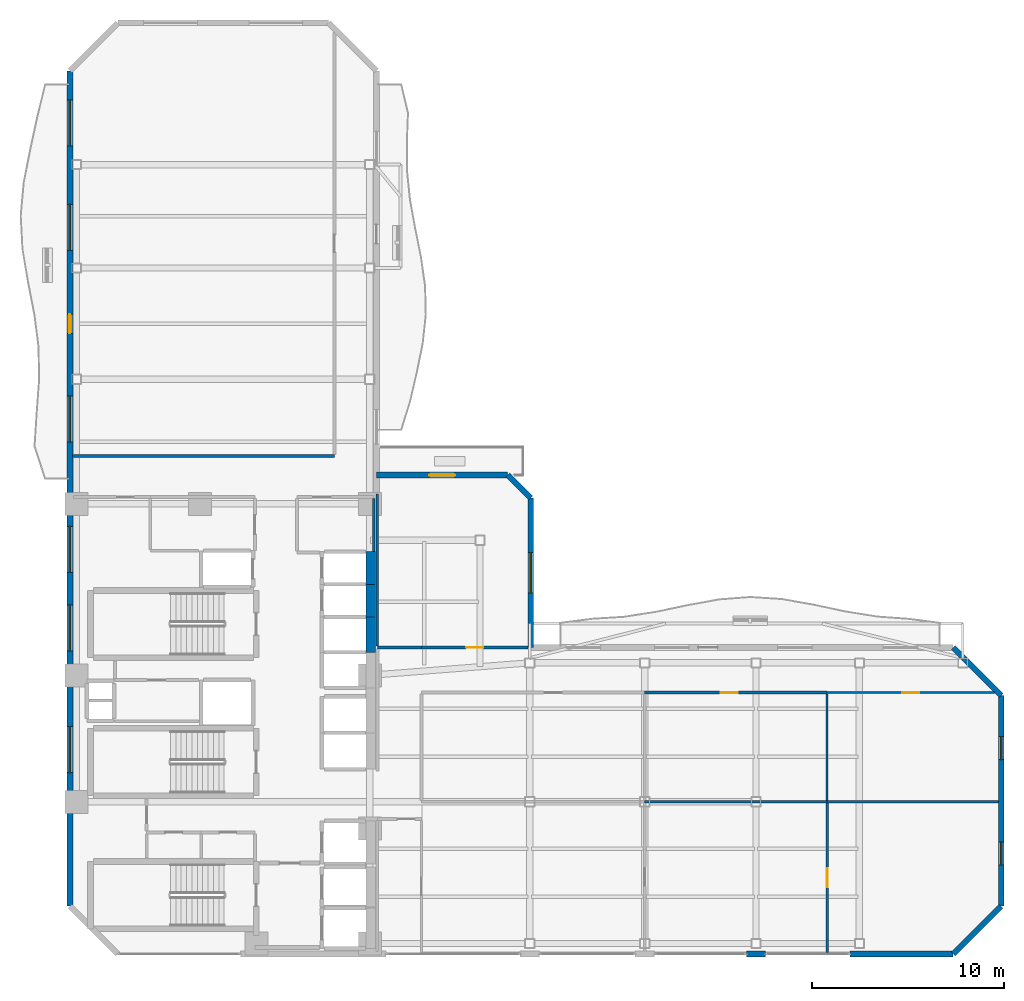
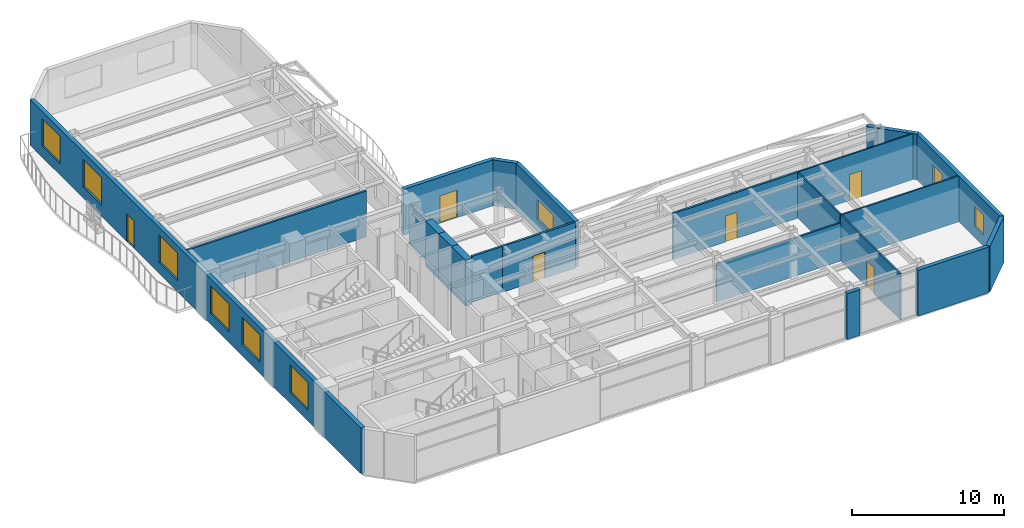
# One storey, part 11 of 15: 23 walls, 9 windows, 6 doors, 15 openings.
"""IFC4 building model written with IfcOpenShell, lengths in metres."""

import ifcopenshell
import ifcopenshell.guid

model = None  # the IFC model being written
_history = None  # IfcOwnerHistory: only IFC2X3 demands one
_inside = {}  # id of a spatial element -> (the spatial element, [elements in it])
_under = {}  # id of a project, library or spatial element -> (it, [spatial elements below it])
_declared = {}  # id of a project -> (the project, [libraries it declares])
_typed = {}  # id of a type object -> (the type object, [elements of that type])
_made_of = {}  # id of a material, layer set ... -> (it, [elements and type objects made of it])


def new_model(schema):
    """Start an empty IFC model of exactly this schema.

    Asked for "IFC4X3", IfcOpenShell would pick the latest addendum, in which some entities
    have other attributes; the version numbers below select the first issue.
    IFC2X3 requires an IfcOwnerHistory on every rooted entity: one is made here for all.
    """
    global model, _history
    if schema == "IFC4X3":
        model = ifcopenshell.file(schema_version=(4, 3, 0, 0))
    else:
        model = ifcopenshell.file(schema=schema)
    _inside.clear()
    _under.clear()
    _declared.clear()
    _typed.clear()
    _made_of.clear()
    _history = None
    if model.schema == "IFC2X3":
        org = make("IfcOrganization", Name="unknown")
        user = make(
            "IfcPersonAndOrganization",
            ThePerson=make("IfcPerson", FamilyName="unknown"),
            TheOrganization=org,
        )
        app = make(
            "IfcApplication",
            ApplicationDeveloper=org,
            Version="unknown",
            ApplicationFullName="unknown",
            ApplicationIdentifier="unknown",
        )
        _history = make(
            "IfcOwnerHistory",
            OwningUser=user,
            OwningApplication=app,
            ChangeAction="ADDED",
            CreationDate=0,
        )
    return model


def make(cls, **values):
    """One entity of the class cls with the attributes given. An attribute that is None is left unset."""
    return model.create_entity(
        cls, **{name: value for name, value in values.items() if value is not None}
    )


def rooted(cls, **values):
    """An entity with a GlobalId (a new one), such as an element, a storey or a relation."""
    return make(cls, GlobalId=ifcopenshell.guid.new(), OwnerHistory=_history, **values)


def si_unit(unit_type, name, prefix=None):
    """IfcSIUnit, for example si_unit("LENGTHUNIT", "METRE", prefix="MILLI")."""
    return make("IfcSIUnit", UnitType=unit_type, Prefix=prefix, Name=name)


def assignment(units):
    """IfcUnitAssignment: the units of a project."""
    return None if units is None else make("IfcUnitAssignment", Units=units)


def point(xyz):
    """IfcCartesianPoint."""
    return None if xyz is None else make("IfcCartesianPoint", Coordinates=xyz)


def direction(xyz):
    """IfcDirection."""
    return None if xyz is None else make("IfcDirection", DirectionRatios=xyz)


def frame(location, z_axis=None, x_axis=None):
    """IfcAxis2Placement3D, a coordinate frame: its origin and axes. An axis left out is left unset."""
    return make(
        "IfcAxis2Placement3D",
        Location=point(location),
        Axis=direction(z_axis),
        RefDirection=direction(x_axis),
    )


def frame_2d(location, x_axis=None):
    """IfcAxis2Placement2D, a coordinate frame in the plane: its origin and x axis."""
    return make(
        "IfcAxis2Placement2D", Location=point(location), RefDirection=direction(x_axis)
    )


def origin():
    """The frame at (0, 0, 0) with its axes left unset."""
    return frame((0.0, 0.0, 0.0))


def place(relative_to, where):
    """IfcLocalPlacement: puts the frame where relative to a parent placement (None: the world)."""
    return make(
        "IfcLocalPlacement", PlacementRelTo=relative_to, RelativePlacement=where
    )


def context(
    kind, dimensions, precision=None, world=None, true_north=None, identifier=None
):
    """IfcGeometricRepresentationContext, for example the 3D "Model" context."""
    return make(
        "IfcGeometricRepresentationContext",
        ContextIdentifier=identifier,
        ContextType=kind,
        CoordinateSpaceDimension=dimensions,
        Precision=precision,
        WorldCoordinateSystem=world,
        TrueNorth=true_north,
    )


def subcontext(parent, identifier, kind, view, scale=None):
    """IfcGeometricRepresentationSubContext, for example "Body" below "Model"."""
    return make(
        "IfcGeometricRepresentationSubContext",
        ContextIdentifier=identifier,
        ContextType=kind,
        ParentContext=parent,
        TargetScale=scale,
        TargetView=view,
    )


def project(units=None, contexts=None):
    """IfcProject with its units and contexts."""
    return rooted(
        "IfcProject",
        Name="project",
        RepresentationContexts=contexts,
        UnitsInContext=assignment(units),
    )


def spatial(cls, under=None, at=None, **own):
    """A site, building, storey or space (cls), placed at a placement, below another one or the project."""
    s = rooted(cls, ObjectPlacement=at, **own)
    if under is not None:
        _under.setdefault(under.id(), (under, []))[1].append(s)
    return s


def profile(cls, at=None, kind="AREA", **sizes):
    """A parametric profile (cls). Its sizes go by their IFC names, for example OverallWidth=200.0."""
    return make(cls, ProfileType=kind, Position=at, **sizes)


def rectangle(**sizes):
    """IfcRectangleProfileDef."""
    return profile("IfcRectangleProfileDef", **sizes)


def extrude(swept, where, along, depth):
    """IfcExtrudedAreaSolid: the profile swept, set in the frame where, extruded along a direction by depth."""
    return make(
        "IfcExtrudedAreaSolid",
        SweptArea=swept,
        Position=where,
        ExtrudedDirection=direction(along),
        Depth=depth,
    )


def shape(context_of_items, identifier, shape_type, items):
    """IfcShapeRepresentation: the items that make up one representation, for example the "Body"."""
    return make(
        "IfcShapeRepresentation",
        ContextOfItems=context_of_items,
        RepresentationIdentifier=identifier,
        RepresentationType=shape_type,
        Items=items,
    )


def material(Name=None, Category=None):
    """IfcMaterial."""
    return make("IfcMaterial", Name=Name, Category=Category)


def layer(
    of_material, thickness, ventilated=None, Name=None, Category=None, Priority=None
):
    """IfcMaterialLayer: one layer of a wall or slab, of a material (None: an air gap)."""
    return make(
        "IfcMaterialLayer",
        Material=of_material,
        LayerThickness=thickness,
        IsVentilated=ventilated,
        Name=Name,
        Category=Category,
        Priority=Priority,
    )


def layer_set(layers, Name=None):
    """IfcMaterialLayerSet."""
    return make("IfcMaterialLayerSet", MaterialLayers=layers, LayerSetName=Name)


def made_of(thing, what):
    """Note that an element or type object is made of a material, layer set ...; save() writes the relation."""
    if what is not None:
        _made_of.setdefault(what.id(), (what, []))[1].append(thing)
    return thing


def type_object(cls, material=None, **own):
    """A type object (cls), such as IfcWallType, which elements share."""
    return made_of(rooted(cls, **own), material)


def element(
    cls,
    number,
    at=None,
    inside=None,
    cuts=None,
    type_object=None,
    material=None,
    context=None,
    identifier="Body",
    shape_type=None,
    held_by="IfcProductDefinitionShape",
    body=None,
    shapes=None,
    **own,
):
    """One element of the class cls, such as IfcWall. Its Tag is "e" and its number.

    at: its placement. inside: the storey or other place that contains it. cuts: it is an
    opening in that element (IfcRelVoidsElement). A single representation is given by context,
    identifier, shape_type and body (its items); several are given by shapes. held_by: the class
    of the entity that holds the representations. save() writes the other relations.
    """
    e = rooted(cls, Tag="e%d" % number, ObjectPlacement=at, **own)
    if body is not None:
        shapes = [shape(context, identifier, shape_type, body)]
    if shapes is not None:
        e.Representation = make(held_by, Representations=shapes)
    if inside is not None:
        _inside.setdefault(inside.id(), (inside, []))[1].append(e)
    if cuts is not None:
        rooted(
            "IfcRelVoidsElement", RelatingBuildingElement=cuts, RelatedOpeningElement=e
        )
    if type_object is not None:
        _typed.setdefault(type_object.id(), (type_object, []))[1].append(e)
    return made_of(e, material)


def fill(opening, filler):
    """IfcRelFillsElement: the door or window that sits in an opening."""
    return rooted(
        "IfcRelFillsElement",
        RelatingOpeningElement=opening,
        RelatedBuildingElement=filler,
    )


def aggregate(whole, parts):
    """IfcRelAggregates: a whole, such as a stair, and the parts it consists of."""
    return rooted("IfcRelAggregates", RelatingObject=whole, RelatedObjects=parts)


def save(model, path):
    """Write the relations noted so far, then the file.

    IfcRelAggregates (storeys below a building ...), IfcRelContainedInSpatialStructure (elements
    in a storey), IfcRelDefinesByType, IfcRelAssociatesMaterial and IfcRelDeclares: one each for
    every whole, place, type object, material and project.
    """
    for whole, parts in _under.values():
        aggregate(whole, parts)
    for where, things in _inside.values():
        rooted(
            "IfcRelContainedInSpatialStructure",
            RelatedElements=things,
            RelatingStructure=where,
        )
    for kind, things in _typed.values():
        rooted("IfcRelDefinesByType", RelatedObjects=things, RelatingType=kind)
    for what, things in _made_of.values():
        rooted("IfcRelAssociatesMaterial", RelatedObjects=things, RelatingMaterial=what)
    for by, libraries in _declared.values():
        rooted("IfcRelDeclares", RelatingContext=by, RelatedDefinitions=libraries)
    model.write(path)


model = new_model("IFC4")

# Units and contexts
model_context = context("Model", 3, precision=1e-05, world=origin(), true_north=direction((0.0, 1.0)))
body_context = subcontext(model_context, "Body", "Model", "MODEL_VIEW")
ifc_project = project(units=[si_unit("LENGTHUNIT", "METRE"), si_unit("AREAUNIT", "SQUARE_METRE"), si_unit("VOLUMEUNIT", "CUBIC_METRE"), si_unit("PLANEANGLEUNIT", "RADIAN"), si_unit("MASSUNIT", "GRAM", prefix="KILO")], contexts=[model_context])

# Site, building, storey
site_placement = place(None, origin())
site = spatial("IfcSite", under=ifc_project, at=site_placement, CompositionType="ELEMENT")
building_placement = place(site_placement, origin())
building = spatial("IfcBuilding", under=site, at=building_placement, Name="Mawjaban Terraces University", CompositionType="ELEMENT")
storey_placement = place(building_placement, frame((0.0, 0.0, 142.39990234375)))
storey = spatial("IfcBuildingStorey", under=building, at=storey_placement, Name="L34", CompositionType="ELEMENT", Elevation=142.39990234375)

# Walls
ifc_material_1 = material(Name="Concrete C60/75", Category="concrete")
ifc_layer_1 = layer(ifc_material_1, 0.5)
ifc_layer_set_1 = layer_set([ifc_layer_1], Name="Concrete C60/75")
wall_type_1 = type_object("IfcWallType", Name="CoreShearWall_500", PredefinedType="SHEAR", material=ifc_layer_set_1)
wall_1_placement = place(storey_placement, frame((37.699951171875, 15.75, 0.0), z_axis=(0.0, 0.0, 1.0), x_axis=(0.0, 1.0, 0.0)))
element("IfcWall", 1, at=wall_1_placement, inside=storey, type_object=wall_type_1, Name="L34 Lift OL-2 Hoistway Wall East", PredefinedType="SHEAR", context=body_context, shape_type="SweptSolid", body=[
    extrude(rectangle(XDim=1.85009765625, YDim=0.5, at=frame_2d((0.925048828125, 0.0))), origin(), (0.0, 0.0, 1.0), 3.690185546875),
])
for number, where, z_axis, x_axis, name in (
    (2, (37.699951171875, 17.60009765625, 0.0), (0.0, 0.0, 1.0), (0.0, 1.0, 0.0), "L34 Lift PL-M1 Hoistway Wall East"),
    (3, (37.699951171875, 19.300048828125, 0.0), (0.0, 0.0, 1.0), (0.0, 1.0, 0.0), "L34 Lift PL-M2 Hoistway Wall East"),
):
    element("IfcWall", number, at=place(storey_placement, frame(where, z_axis=z_axis, x_axis=x_axis)), inside=storey, type_object=wall_type_1, Name=name, PredefinedType="SHEAR", context=body_context, shape_type="SweptSolid", body=[
        extrude(rectangle(XDim=1.699951171875, YDim=0.5, at=frame_2d((0.85009765625, 0.0))), origin(), (0.0, 0.0, 1.0), 3.690185546875),
    ])
ifc_material_2 = material(Name="Fire-rated gypsum board on steel stud", Category="steel")
ifc_layer_2 = layer(ifc_material_2, 0.159912109375)
ifc_layer_set_2 = layer_set([ifc_layer_2], Name="Fire-rated gypsum board on steel stud")
wall_type_2 = type_object("IfcWallType", Name="CorridorPartition_160", PredefinedType="PARTITIONING", material=ifc_layer_set_2)
wall_2_placement = place(storey_placement, frame((35.800048828125, 26.0, 0.0), z_axis=(0.0, 0.0, 1.0), x_axis=(-1.0, 0.0, 0.0)))
element("IfcWall", 4, at=wall_2_placement, inside=storey, type_object=wall_type_2, Name="L34 North Core Cross-Corridor Partition 11", PredefinedType="PARTITIONING", context=body_context, shape_type="SweptSolid", body=[
    extrude(rectangle(XDim=13.655029296875, YDim=0.159912109375, at=frame_2d((6.82763671875, 0.0))), origin(), (0.0, 0.0, 1.0), 3.690185546875),
])
wall_3_placement = place(storey_placement, frame((40.35009765625, 16.0, 0.0), z_axis=(0.0, 0.0, 1.0), x_axis=(-1.0, 0.0, 0.0)))
element("IfcWall", 5, at=wall_3_placement, inside=storey, type_object=wall_type_2, Name="L34 Inner Gallery Link Corridor Partition 15", PredefinedType="PARTITIONING", context=body_context, shape_type="SweptSolid", body=[
    extrude(rectangle(XDim=2.300048828125, YDim=0.159912109375, at=frame_2d((1.14990234375, 0.0))), origin(), (0.0, 0.0, 1.0), 3.690185546875),
])

# Wall, opening, door
wall_4_placement = place(storey_placement, frame((40.35009765625, 16.0, 0.0), z_axis=(0.0, 0.0, 1.0), x_axis=(1.0, 0.0, 0.0)))
wall_4 = element("IfcWall", 6, at=wall_4_placement, inside=storey, type_object=wall_type_2, Name="L34 Terrace Collaborative Study Room Partition 16", PredefinedType="PARTITIONING", context=body_context, shape_type="SweptSolid", body=[
    extrude(rectangle(XDim=5.55078125, YDim=0.159912109375, at=frame_2d((2.775390625, 0.0))), origin(), (0.0, 0.0, 1.0), 3.690185546875),
])
opening_1_placement = place(wall_4_placement, frame((2.325927734375, 0.0, 0.0)))
opening_1 = element("IfcOpeningElement", 7, at=opening_1_placement, cuts=wall_4, Name="Opening ID-090", PredefinedType="OPENING", context=body_context, shape_type="SweptSolid", body=[
    extrude(rectangle(XDim=0.89990234375, YDim=2.10009765625, at=frame_2d((0.449951171875, 1.050048828125))), frame((0.0, 0.08984375, 0.0), z_axis=(0.0, -1.0, 0.0), x_axis=(1.0, 0.0, 0.0)), (0.0, 0.0, 1.0), 0.179931640625),
])
ifc_material_3 = material(Name="Powder-coated steel frame and solid acoustic timber leaf", Category="steel")
door_type_1 = type_object("IfcDoorType", Name="OfficeDoor_900x2100", OperationType="NOTDEFINED", PredefinedType="DOOR", material=ifc_material_3)
door_1_placement = place(opening_1_placement, origin())
door_1 = element("IfcDoor", 8, at=door_1_placement, inside=storey, type_object=door_type_1, Name="L34 Terrace Collaborative Study Room Door", OperationType="SINGLE_SWING_RIGHT", OverallHeight=2.10009765625, OverallWidth=0.89990234375, PredefinedType="DOOR", context=body_context, shape_type="SweptSolid", body=[
    extrude(rectangle(XDim=0.89990234375, YDim=2.10009765625, at=frame_2d((0.449951171875, 1.050048828125))), frame((0.0, 0.02490234375, 0.0), z_axis=(0.0, -1.0, 0.0), x_axis=(1.0, 0.0, 0.0)), (0.0, 0.0, 1.0), 0.050048828125),
])
fill(opening_1, door_1)

wall_5_placement = place(storey_placement, frame((52.0, 13.64990234375, 0.0), z_axis=(0.0, 0.0, 1.0), x_axis=(1.0, 0.0, 0.0)))
wall_5 = element("IfcWall", 9, at=wall_5_placement, inside=storey, type_object=wall_type_2, Name="L34 Inner Terrace Gallery Corridor East Partition 18", PredefinedType="PARTITIONING", context=body_context, shape_type="SweptSolid", body=[
    extrude(rectangle(XDim=9.52001953125, YDim=0.159912109375, at=frame_2d((4.760009765625, 0.0))), origin(), (0.0, 0.0, 1.0), 3.690185546875),
])
opening_2_placement = place(wall_5_placement, frame((3.9599609375, 0.0, 0.0)))
opening_2 = element("IfcOpeningElement", 10, at=opening_2_placement, cuts=wall_5, Name="Opening ID-090", PredefinedType="OPENING", context=body_context, shape_type="SweptSolid", body=[
    extrude(rectangle(XDim=0.89990234375, YDim=2.10009765625, at=frame_2d((0.449951171875, 1.050048828125))), frame((0.0, 0.08984375, 0.0), z_axis=(0.0, -1.0, 0.0), x_axis=(1.0, 0.0, 0.0)), (0.0, 0.0, 1.0), 0.179931640625),
])
door_2_placement = place(opening_2_placement, origin())
door_2 = element("IfcDoor", 11, at=door_2_placement, inside=storey, type_object=door_type_1, Name="L34 Collaborative Study Room 5 Door", OperationType="SINGLE_SWING_RIGHT", OverallHeight=2.10009765625, OverallWidth=0.89990234375, PredefinedType="DOOR", context=body_context, shape_type="SweptSolid", body=[
    extrude(rectangle(XDim=0.89990234375, YDim=2.10009765625, at=frame_2d((0.449951171875, 1.050048828125))), frame((0.0, 0.02490234375, 0.0), z_axis=(0.0, -1.0, 0.0), x_axis=(1.0, 0.0, 0.0)), (0.0, 0.0, 1.0), 0.050048828125),
])
fill(opening_2, door_2)

# Walls
ifc_material_4 = material(Name="Insulated terracotta rainscreen on concrete backup C40/50", Category="masonry")
ifc_layer_3 = layer(ifc_material_4, 0.300048828125)
ifc_layer_set_3 = layer_set([ifc_layer_3], Name="Insulated terracotta rainscreen on concrete backup C40/50")
wall_type_3 = type_object("IfcWallType", Name="ExtTerracottaWall_300", PredefinedType="SOLIDWALL", material=ifc_layer_set_3)
wall_6_placement = place(storey_placement, frame((57.300048828125, 0.0, 0.0), z_axis=(0.0, 0.0, 1.0), x_axis=(1.0, 0.0, 0.0)))
element("IfcWall", 12, at=wall_6_placement, inside=storey, type_object=wall_type_3, Name="L34 Exterior Terracotta Pier Wall 1.4", PredefinedType="SOLIDWALL", context=body_context, shape_type="SweptSolid", body=[
    extrude(rectangle(XDim=1.0, YDim=0.300048828125, at=frame_2d((0.5, 0.0))), origin(), (0.0, 0.0, 1.0), 3.690185546875),
])
wall_7_placement = place(storey_placement, frame((62.699951171875, 0.0, 0.0), z_axis=(0.0, 0.0, 1.0), x_axis=(1.0, 0.0, 0.0)))
element("IfcWall", 13, at=wall_7_placement, inside=storey, type_object=wall_type_3, Name="L34 Exterior Terracotta Pier Wall 1.5", PredefinedType="SOLIDWALL", context=body_context, shape_type="SweptSolid", body=[
    extrude(rectangle(XDim=5.400146484375, YDim=0.300048828125, at=frame_2d((2.7001953125, 0.0))), origin(), (0.0, 0.0, 1.0), 3.690185546875),
])
wall_8_placement = place(storey_placement, frame((68.10009765625, 0.0, 0.0), z_axis=(0.0, 0.0, 1.0), x_axis=(0.707106781187, 0.707106781187, 0.0)))
element("IfcWall", 14, at=wall_8_placement, inside=storey, type_object=wall_type_3, Name="L34 Exterior Terracotta Wall 2", PredefinedType="SOLIDWALL", context=body_context, shape_type="SweptSolid", body=[
    extrude(rectangle(XDim=3.53564453125, YDim=0.300048828125, at=frame_2d((1.767822265625, 0.0))), origin(), (0.0, 0.0, 1.0), 3.690185546875),
])

# Wall, openings, windows
wall_9_placement = place(storey_placement, frame((70.60009765625, 2.5, 0.0), z_axis=(0.0, 0.0, 1.0), x_axis=(0.0, 1.0, 0.0)))
wall_9 = element("IfcWall", 15, at=wall_9_placement, inside=storey, type_object=wall_type_3, Name="L34 Exterior Terracotta Wall 3", PredefinedType="SOLIDWALL", context=body_context, shape_type="SweptSolid", body=[
    extrude(rectangle(XDim=11.0, YDim=0.300048828125, at=frame_2d((5.5, 0.0))), origin(), (0.0, 0.0, 1.0), 3.690185546875),
])
opening_3_placement = place(wall_9_placement, frame((2.14990234375, 0.0, 0.89990234375)))
opening_3 = element("IfcOpeningElement", 16, at=opening_3_placement, cuts=wall_9, Name="Opening W-01", PredefinedType="OPENING", context=body_context, shape_type="SweptSolid", body=[
    extrude(rectangle(XDim=1.199951171875, YDim=1.60009765625, at=frame_2d((0.60009765625, 0.800048828125))), frame((0.0, 0.159912109375, 0.0), z_axis=(0.0, -1.0, 0.0), x_axis=(1.0, 0.0, 0.0)), (0.0, 0.0, 1.0), 0.320068359375),
])
opening_4_placement = place(wall_9_placement, frame((7.64990234375, 0.0, 0.89990234375)))
opening_4 = element("IfcOpeningElement", 17, at=opening_4_placement, cuts=wall_9, Name="Opening W-01", PredefinedType="OPENING", context=body_context, shape_type="SweptSolid", body=[
    extrude(rectangle(XDim=1.199951171875, YDim=1.60009765625, at=frame_2d((0.60009765625, 0.800048828125))), frame((0.0, 0.159912109375, 0.0), z_axis=(0.0, -1.0, 0.0), x_axis=(1.0, 0.0, 0.0)), (0.0, 0.0, 1.0), 0.320068359375),
])
ifc_material_5 = material(Name="Low-E solar-control double glazing in thermally broken aluminium frame", Category="aluminium")
window_type_1 = type_object("IfcWindowType", Name="Win_1200x1600", PartitioningType="SINGLE_PANEL", PredefinedType="WINDOW", material=ifc_material_5)
window_1_placement = place(opening_3_placement, origin())
window_1 = element("IfcWindow", 18, at=window_1_placement, inside=storey, type_object=window_type_1, Name="L34 Facade Window 3.1", OverallHeight=1.60009765625, OverallWidth=1.199951171875, PartitioningType="SINGLE_PANEL", PredefinedType="WINDOW", context=body_context, shape_type="SweptSolid", body=[
    extrude(rectangle(XDim=1.199951171875, YDim=1.60009765625, at=frame_2d((0.60009765625, 0.800048828125))), frame((0.0, 0.030029296875, 0.0), z_axis=(0.0, -1.0, 0.0), x_axis=(1.0, 0.0, 0.0)), (0.0, 0.0, 1.0), 0.06005859375),
])
fill(opening_3, window_1)
window_2_placement = place(opening_4_placement, origin())
window_2 = element("IfcWindow", 19, at=window_2_placement, inside=storey, type_object=window_type_1, Name="L34 Facade Window 3.2", OverallHeight=1.60009765625, OverallWidth=1.199951171875, PartitioningType="SINGLE_PANEL", PredefinedType="WINDOW", context=body_context, shape_type="SweptSolid", body=[
    extrude(rectangle(XDim=1.199951171875, YDim=1.60009765625, at=frame_2d((0.60009765625, 0.800048828125))), frame((0.0, 0.030029296875, 0.0), z_axis=(0.0, -1.0, 0.0), x_axis=(1.0, 0.0, 0.0)), (0.0, 0.0, 1.0), 0.06005859375),
])
fill(opening_4, window_2)

# Wall
wall_10_placement = place(storey_placement, frame((70.60009765625, 13.5, 0.0), z_axis=(0.0, 0.0, 1.0), x_axis=(-0.707106781187, 0.707106781187, 0.0)))
element("IfcWall", 20, at=wall_10_placement, inside=storey, type_object=wall_type_3, Name="L34 Exterior Terracotta Wall 4", PredefinedType="SOLIDWALL", context=body_context, shape_type="SweptSolid", body=[
    extrude(rectangle(XDim=3.53564453125, YDim=0.300048828125, at=frame_2d((1.767822265625, 0.0))), origin(), (0.0, 0.0, 1.0), 3.690185546875),
])

# Wall, opening, window
wall_11_placement = place(storey_placement, frame((46.0458984375, 16.0, 0.0), z_axis=(0.0, 0.0, 1.0), x_axis=(0.0, 1.0, 0.0)))
wall_11 = element("IfcWall", 21, at=wall_11_placement, inside=storey, type_object=wall_type_3, Name="L34 Exterior Terracotta Wall 6", PredefinedType="SOLIDWALL", context=body_context, shape_type="SweptSolid", body=[
    extrude(rectangle(XDim=7.800048828125, YDim=0.300048828125, at=frame_2d((3.89990234375, 0.0))), origin(), (0.0, 0.0, 1.0), 3.690185546875),
])
opening_5_placement = place(wall_11_placement, frame((2.85009765625, 0.0, 0.89990234375)))
opening_5 = element("IfcOpeningElement", 22, at=opening_5_placement, cuts=wall_11, Name="Opening W-04", PredefinedType="OPENING", context=body_context, shape_type="SweptSolid", body=[
    extrude(rectangle(XDim=2.10009765625, YDim=1.60009765625, at=frame_2d((1.050048828125, 0.800048828125))), frame((0.0, 0.159912109375, 0.0), z_axis=(0.0, -1.0, 0.0), x_axis=(1.0, 0.0, 0.0)), (0.0, 0.0, 1.0), 0.320068359375),
])
window_type_2 = type_object("IfcWindowType", Name="Win_2100x1600", PartitioningType="SINGLE_PANEL", PredefinedType="WINDOW", material=ifc_material_5)
window_3_placement = place(opening_5_placement, origin())
window_3 = element("IfcWindow", 23, at=window_3_placement, inside=storey, type_object=window_type_2, Name="L34 Facade Window 6.1", OverallHeight=1.60009765625, OverallWidth=2.10009765625, PartitioningType="SINGLE_PANEL", PredefinedType="WINDOW", context=body_context, shape_type="SweptSolid", body=[
    extrude(rectangle(XDim=2.10009765625, YDim=1.60009765625, at=frame_2d((1.050048828125, 0.800048828125))), frame((0.0, 0.030029296875, 0.0), z_axis=(0.0, -1.0, 0.0), x_axis=(1.0, 0.0, 0.0)), (0.0, 0.0, 1.0), 0.06005859375),
])
fill(opening_5, window_3)

# Wall
wall_12_placement = place(storey_placement, frame((46.0458984375, 23.800048828125, 0.0), z_axis=(0.0, 0.0, 1.0), x_axis=(-0.707106781187, 0.707106781187, 0.0)))
element("IfcWall", 24, at=wall_12_placement, inside=storey, type_object=wall_type_3, Name="L34 Exterior Terracotta Wall 7", PredefinedType="SOLIDWALL", context=body_context, shape_type="SweptSolid", body=[
    extrude(rectangle(XDim=1.697021484375, YDim=0.300048828125, at=frame_2d((0.8486328125, 0.0))), origin(), (0.0, 0.0, 1.0), 3.690185546875),
])

# Wall, opening, door
wall_13_placement = place(storey_placement, frame((44.845947265625, 25.0, 0.0), z_axis=(0.0, 0.0, 1.0), x_axis=(-1.0, 0.0, 0.0)))
wall_13 = element("IfcWall", 25, at=wall_13_placement, inside=storey, type_object=wall_type_3, Name="L34 Exterior Terracotta Wall 8", PredefinedType="SOLIDWALL", context=body_context, shape_type="SweptSolid", body=[
    extrude(rectangle(XDim=6.845947265625, YDim=0.300048828125, at=frame_2d((3.4228515625, 0.0))), origin(), (0.0, 0.0, 1.0), 3.690185546875),
])
opening_6_placement = place(wall_13_placement, frame((2.748046875, 0.0, 0.0)))
opening_6 = element("IfcOpeningElement", 26, at=opening_6_placement, cuts=wall_13, Name="Opening TD-135", PredefinedType="OPENING", context=body_context, shape_type="SweptSolid", body=[
    extrude(rectangle(XDim=1.35009765625, YDim=2.199951171875, at=frame_2d((0.675048828125, 1.10009765625))), frame((0.0, 0.159912109375, 0.0), z_axis=(0.0, -1.0, 0.0), x_axis=(1.0, 0.0, 0.0)), (0.0, 0.0, 1.0), 0.320068359375),
])
ifc_material_6 = material(Name="Thermally broken anodised aluminium and laminated safety glass", Category="aluminium")
door_type_2 = type_object("IfcDoorType", Name="TerraceGlazedDoor_1350x2200", OperationType="NOTDEFINED", PredefinedType="DOOR", material=ifc_material_6)
door_3_placement = place(opening_6_placement, origin())
door_3 = element("IfcDoor", 27, at=door_3_placement, inside=storey, type_object=door_type_2, Name="L34 Terrace Access Door TER-L34-CLIMB", OperationType="SINGLE_SWING_RIGHT", OverallHeight=2.199951171875, OverallWidth=1.35009765625, PredefinedType="DOOR", context=body_context, shape_type="SweptSolid", body=[
    extrude(rectangle(XDim=1.35009765625, YDim=2.199951171875, at=frame_2d((0.675048828125, 1.10009765625))), frame((0.0, 0.02490234375, 0.0), z_axis=(0.0, -1.0, 0.0), x_axis=(1.0, 0.0, 0.0)), (0.0, 0.0, 1.0), 0.050048828125),
])
fill(opening_6, door_3)

# Wall, openings, door, windows
wall_14_placement = place(storey_placement, frame((22.0, 46.10009765625, 0.0), z_axis=(0.0, 0.0, 1.0), x_axis=(0.0, -1.0, 0.0)))
wall_14 = element("IfcWall", 28, at=wall_14_placement, inside=storey, type_object=wall_type_3, Name="L34 Exterior Terracotta Wall 13", PredefinedType="SOLIDWALL", context=body_context, shape_type="SweptSolid", body=[
    extrude(rectangle(XDim=43.60009765625, YDim=0.300048828125, at=frame_2d((21.800048828125, 0.0))), origin(), (0.0, 0.0, 1.0), 3.690185546875),
])
opening_7_placement = place(wall_14_placement, frame((12.699951171875, 0.0, 0.0)))
opening_7 = element("IfcOpeningElement", 29, at=opening_7_placement, cuts=wall_14, Name="Opening BD-100", PredefinedType="OPENING", context=body_context, shape_type="SweptSolid", body=[
    extrude(rectangle(XDim=1.0, YDim=2.199951171875, at=frame_2d((0.5, 1.10009765625))), frame((0.0, 0.159912109375, 0.0), z_axis=(0.0, -1.0, 0.0), x_axis=(1.0, 0.0, 0.0)), (0.0, 0.0, 1.0), 0.320068359375),
])
opening_8_placement = place(wall_14_placement, frame((1.52490234375, 0.0, 0.89990234375)))
opening_8 = element("IfcOpeningElement", 30, at=opening_8_placement, cuts=wall_14, Name="Opening W-11", PredefinedType="OPENING", context=body_context, shape_type="SweptSolid", body=[
    extrude(rectangle(XDim=2.39990234375, YDim=2.199951171875, at=frame_2d((1.199951171875, 1.10009765625))), frame((0.0, 0.159912109375, 0.0), z_axis=(0.0, -1.0, 0.0), x_axis=(1.0, 0.0, 0.0)), (0.0, 0.0, 1.0), 0.320068359375),
])
opening_9_placement = place(wall_14_placement, frame((6.97509765625, 0.0, 0.89990234375)))
opening_9 = element("IfcOpeningElement", 31, at=opening_9_placement, cuts=wall_14, Name="Opening W-11", PredefinedType="OPENING", context=body_context, shape_type="SweptSolid", body=[
    extrude(rectangle(XDim=2.39990234375, YDim=2.199951171875, at=frame_2d((1.199951171875, 1.10009765625))), frame((0.0, 0.159912109375, 0.0), z_axis=(0.0, -1.0, 0.0), x_axis=(1.0, 0.0, 0.0)), (0.0, 0.0, 1.0), 0.320068359375),
])
opening_10_placement = place(wall_14_placement, frame((16.97509765625, 0.0, 0.89990234375)))
opening_10 = element("IfcOpeningElement", 32, at=opening_10_placement, cuts=wall_14, Name="Opening W-11", PredefinedType="OPENING", context=body_context, shape_type="SweptSolid", body=[
    extrude(rectangle(XDim=2.39990234375, YDim=2.199951171875, at=frame_2d((1.199951171875, 1.10009765625))), frame((0.0, 0.159912109375, 0.0), z_axis=(0.0, -1.0, 0.0), x_axis=(1.0, 0.0, 0.0)), (0.0, 0.0, 1.0), 0.320068359375),
])
opening_11_placement = place(wall_14_placement, frame((23.77490234375, 0.0, 0.89990234375)))
opening_11 = element("IfcOpeningElement", 33, at=opening_11_placement, cuts=wall_14, Name="Opening W-11", PredefinedType="OPENING", context=body_context, shape_type="SweptSolid", body=[
    extrude(rectangle(XDim=2.39990234375, YDim=2.199951171875, at=frame_2d((1.199951171875, 1.10009765625))), frame((0.0, 0.159912109375, 0.0), z_axis=(0.0, -1.0, 0.0), x_axis=(1.0, 0.0, 0.0)), (0.0, 0.0, 1.0), 0.320068359375),
])
opening_12_placement = place(wall_14_placement, frame((27.875, 0.0, 0.89990234375)))
opening_12 = element("IfcOpeningElement", 34, at=opening_12_placement, cuts=wall_14, Name="Opening W-11", PredefinedType="OPENING", context=body_context, shape_type="SweptSolid", body=[
    extrude(rectangle(XDim=2.39990234375, YDim=2.199951171875, at=frame_2d((1.199951171875, 1.10009765625))), frame((0.0, 0.159912109375, 0.0), z_axis=(0.0, -1.0, 0.0), x_axis=(1.0, 0.0, 0.0)), (0.0, 0.0, 1.0), 0.320068359375),
])
opening_13_placement = place(wall_14_placement, frame((34.22509765625, 0.0, 0.89990234375)))
opening_13 = element("IfcOpeningElement", 35, at=opening_13_placement, cuts=wall_14, Name="Opening W-11", PredefinedType="OPENING", context=body_context, shape_type="SweptSolid", body=[
    extrude(rectangle(XDim=2.39990234375, YDim=2.199951171875, at=frame_2d((1.199951171875, 1.10009765625))), frame((0.0, 0.159912109375, 0.0), z_axis=(0.0, -1.0, 0.0), x_axis=(1.0, 0.0, 0.0)), (0.0, 0.0, 1.0), 0.320068359375),
])
door_type_3 = type_object("IfcDoorType", Name="BalconyGlazedDoor_1000x2200", OperationType="NOTDEFINED", PredefinedType="DOOR", material=ifc_material_6)
door_4_placement = place(opening_7_placement, origin())
door_4 = element("IfcDoor", 36, at=door_4_placement, inside=storey, type_object=door_type_3, Name="L34 Balcony Access Door west", OperationType="SINGLE_SWING_LEFT", OverallHeight=2.199951171875, OverallWidth=1.0, PredefinedType="DOOR", context=body_context, shape_type="SweptSolid", body=[
    extrude(rectangle(XDim=1.0, YDim=2.199951171875, at=frame_2d((0.5, 1.10009765625))), frame((0.0, 0.02490234375, 0.0), z_axis=(0.0, -1.0, 0.0), x_axis=(1.0, 0.0, 0.0)), (0.0, 0.0, 1.0), 0.050048828125),
])
fill(opening_7, door_4)
window_type_3 = type_object("IfcWindowType", Name="Win_2400x2200", PartitioningType="SINGLE_PANEL", PredefinedType="WINDOW", material=ifc_material_5)
window_4_placement = place(opening_8_placement, origin())
window_4 = element("IfcWindow", 37, at=window_4_placement, inside=storey, type_object=window_type_3, Name="L34 Facade Window 13.1", OverallHeight=2.199951171875, OverallWidth=2.39990234375, PartitioningType="SINGLE_PANEL", PredefinedType="WINDOW", context=body_context, shape_type="SweptSolid", body=[
    extrude(rectangle(XDim=2.39990234375, YDim=2.199951171875, at=frame_2d((1.199951171875, 1.10009765625))), frame((0.0, 0.030029296875, 0.0), z_axis=(0.0, -1.0, 0.0), x_axis=(1.0, 0.0, 0.0)), (0.0, 0.0, 1.0), 0.06005859375),
])
fill(opening_8, window_4)
window_5_placement = place(opening_9_placement, origin())
window_5 = element("IfcWindow", 38, at=window_5_placement, inside=storey, type_object=window_type_3, Name="L34 Facade Window 13.2", OverallHeight=2.199951171875, OverallWidth=2.39990234375, PartitioningType="SINGLE_PANEL", PredefinedType="WINDOW", context=body_context, shape_type="SweptSolid", body=[
    extrude(rectangle(XDim=2.39990234375, YDim=2.199951171875, at=frame_2d((1.199951171875, 1.10009765625))), frame((0.0, 0.030029296875, 0.0), z_axis=(0.0, -1.0, 0.0), x_axis=(1.0, 0.0, 0.0)), (0.0, 0.0, 1.0), 0.06005859375),
])
fill(opening_9, window_5)
window_6_placement = place(opening_10_placement, origin())
window_6 = element("IfcWindow", 39, at=window_6_placement, inside=storey, type_object=window_type_3, Name="L34 Facade Window 13.4", OverallHeight=2.199951171875, OverallWidth=2.39990234375, PartitioningType="SINGLE_PANEL", PredefinedType="WINDOW", context=body_context, shape_type="SweptSolid", body=[
    extrude(rectangle(XDim=2.39990234375, YDim=2.199951171875, at=frame_2d((1.199951171875, 1.10009765625))), frame((0.0, 0.030029296875, 0.0), z_axis=(0.0, -1.0, 0.0), x_axis=(1.0, 0.0, 0.0)), (0.0, 0.0, 1.0), 0.06005859375),
])
fill(opening_10, window_6)
window_7_placement = place(opening_11_placement, origin())
window_7 = element("IfcWindow", 40, at=window_7_placement, inside=storey, type_object=window_type_3, Name="L34 Facade Window 13.5", OverallHeight=2.199951171875, OverallWidth=2.39990234375, PartitioningType="SINGLE_PANEL", PredefinedType="WINDOW", context=body_context, shape_type="SweptSolid", body=[
    extrude(rectangle(XDim=2.39990234375, YDim=2.199951171875, at=frame_2d((1.199951171875, 1.10009765625))), frame((0.0, 0.030029296875, 0.0), z_axis=(0.0, -1.0, 0.0), x_axis=(1.0, 0.0, 0.0)), (0.0, 0.0, 1.0), 0.06005859375),
])
fill(opening_11, window_7)
window_8_placement = place(opening_12_placement, origin())
window_8 = element("IfcWindow", 41, at=window_8_placement, inside=storey, type_object=window_type_3, Name="L34 Facade Window 13.6", OverallHeight=2.199951171875, OverallWidth=2.39990234375, PartitioningType="SINGLE_PANEL", PredefinedType="WINDOW", context=body_context, shape_type="SweptSolid", body=[
    extrude(rectangle(XDim=2.39990234375, YDim=2.199951171875, at=frame_2d((1.199951171875, 1.10009765625))), frame((0.0, 0.030029296875, 0.0), z_axis=(0.0, -1.0, 0.0), x_axis=(1.0, 0.0, 0.0)), (0.0, 0.0, 1.0), 0.06005859375),
])
fill(opening_12, window_8)
window_9_placement = place(opening_13_placement, origin())
window_9 = element("IfcWindow", 42, at=window_9_placement, inside=storey, type_object=window_type_3, Name="L34 Facade Window 13.7", OverallHeight=2.199951171875, OverallWidth=2.39990234375, PartitioningType="SINGLE_PANEL", PredefinedType="WINDOW", context=body_context, shape_type="SweptSolid", body=[
    extrude(rectangle(XDim=2.39990234375, YDim=2.199951171875, at=frame_2d((1.199951171875, 1.10009765625))), frame((0.0, 0.030029296875, 0.0), z_axis=(0.0, -1.0, 0.0), x_axis=(1.0, 0.0, 0.0)), (0.0, 0.0, 1.0), 0.06005859375),
])
fill(opening_13, window_9)

# Walls
ifc_material_7 = material(Name="Gypsum plasterboard on steel stud", Category="steel")
ifc_layer_4 = layer(ifc_material_7, 0.125)
ifc_layer_set_4 = layer_set([ifc_layer_4], Name="Gypsum plasterboard on steel stud")
wall_type_4 = type_object("IfcWallType", Name="OfficePartition_125", PredefinedType="PARTITIONING", material=ifc_layer_set_4)
wall_15_placement = place(storey_placement, frame((61.52001953125, 7.949951171875, 0.0), z_axis=(0.0, 0.0, 1.0), x_axis=(-1.0, 0.0, 0.0)))
element("IfcWall", 43, at=wall_15_placement, inside=storey, type_object=wall_type_4, Name="L34 Graduate Study Lounge 4 Partition 19", PredefinedType="PARTITIONING", context=body_context, shape_type="SweptSolid", body=[
    extrude(rectangle(XDim=9.52001953125, YDim=0.125, at=frame_2d((4.760009765625, 0.0))), origin(), (0.0, 0.0, 1.0), 3.07421875),
])
wall_16_placement = place(storey_placement, frame((70.455078125, 7.949951171875, 0.0), z_axis=(0.0, 0.0, 1.0), x_axis=(-1.0, 0.0, 0.0)))
element("IfcWall", 44, at=wall_16_placement, inside=storey, type_object=wall_type_4, Name="L34 Classroom 6 Partition 21", PredefinedType="PARTITIONING", context=body_context, shape_type="SweptSolid", body=[
    extrude(rectangle(XDim=8.93505859375, YDim=0.125, at=frame_2d((4.467529296875, 0.0))), origin(), (0.0, 0.0, 1.0), 3.690185546875),
])
wall_17_placement = place(storey_placement, frame((37.85009765625, 21.0, 0.0), z_axis=(0.0, 0.0, 1.0), x_axis=(0.0, 1.0, 0.0)))
element("IfcWall", 45, at=wall_17_placement, inside=storey, type_object=wall_type_4, Name="L34 Departmental Resource Seminar Room Partition 31", PredefinedType="PARTITIONING", context=body_context, shape_type="SweptSolid", body=[
    extrude(rectangle(XDim=2.77490234375, YDim=0.125, at=frame_2d((1.387451171875, 0.0))), origin(), (0.0, 0.0, 1.0), 3.07421875),
])
wall_18_placement = place(storey_placement, frame((38.050048828125, 24.0, 0.0), z_axis=(0.0, 0.0, 1.0), x_axis=(0.0, -1.0, 0.0)))
element("IfcWall", 46, at=wall_18_placement, inside=storey, type_object=wall_type_4, Name="L34 Terrace Collaborative Study Room Partition 34", PredefinedType="PARTITIONING", context=body_context, shape_type="SweptSolid", body=[
    extrude(rectangle(XDim=7.925048828125, YDim=0.125, at=frame_2d((3.96240234375, 0.0))), origin(), (0.0, 0.0, 1.0), 3.07421875),
])

# Wall, opening, door
wall_19_placement = place(storey_placement, frame((61.52001953125, 0.090087890625, 0.0), z_axis=(0.0, 0.0, 1.0), x_axis=(0.0, 1.0, 0.0)))
wall_19 = element("IfcWall", 47, at=wall_19_placement, inside=storey, type_object=wall_type_4, Name="L34 Graduate Study Lounge 4 Partition 39", PredefinedType="PARTITIONING", context=body_context, shape_type="SweptSolid", body=[
    extrude(rectangle(XDim=7.802978515625, YDim=0.125, at=frame_2d((3.9013671875, 0.0))), origin(), (0.0, 0.0, 1.0), 3.690185546875),
])
opening_14_placement = place(wall_19_placement, frame((3.40087890625, 0.0, 0.0)))
opening_14 = element("IfcOpeningElement", 48, at=opening_14_placement, cuts=wall_19, Name="Opening ID-100", PredefinedType="OPENING", context=body_context, shape_type="SweptSolid", body=[
    extrude(rectangle(XDim=1.0, YDim=2.10009765625, at=frame_2d((0.5, 1.050048828125))), frame((0.0, 0.072509765625, 0.0), z_axis=(0.0, -1.0, 0.0), x_axis=(1.0, 0.0, 0.0)), (0.0, 0.0, 1.0), 0.14501953125),
])
door_type_4 = type_object("IfcDoorType", Name="ClassroomDoor_1000x2100", OperationType="NOTDEFINED", PredefinedType="DOOR", material=ifc_material_3)
door_5_placement = place(opening_14_placement, origin())
door_5 = element("IfcDoor", 49, at=door_5_placement, inside=storey, type_object=door_type_4, Name="L34 Classroom 6 Door", OperationType="SINGLE_SWING_LEFT", OverallHeight=2.10009765625, OverallWidth=1.0, PredefinedType="DOOR", context=body_context, shape_type="SweptSolid", body=[
    extrude(rectangle(XDim=1.0, YDim=2.10009765625, at=frame_2d((0.5, 1.050048828125))), frame((0.0, 0.02490234375, 0.0), z_axis=(0.0, -1.0, 0.0), x_axis=(1.0, 0.0, 0.0)), (0.0, 0.0, 1.0), 0.050048828125),
])
fill(opening_14, door_5)

ifc_material_8 = material(Name="Acoustic operable panel partition", Category="masonry")
ifc_layer_5 = layer(ifc_material_8, 0.110107421875)
ifc_layer_set_5 = layer_set([ifc_layer_5], Name="Acoustic operable panel partition")
wall_type_5 = type_object("IfcWallType", Name="OperableSeminarWall_110", PredefinedType="MOVABLE", material=ifc_layer_set_5)
wall_20_placement = place(storey_placement, frame((61.52001953125, 13.64990234375, 0.0), z_axis=(0.0, 0.0, 1.0), x_axis=(1.0, 0.0, 0.0)))
wall_20 = element("IfcWall", 50, at=wall_20_placement, inside=storey, type_object=wall_type_5, Name="L34 Inner Terrace Gallery Corridor East Partition 20", PredefinedType="MOVABLE", context=body_context, shape_type="SweptSolid", body=[
    extrude(rectangle(XDim=8.72509765625, YDim=0.110107421875, at=frame_2d((4.362548828125, 0.0))), origin(), (0.0, 0.0, 1.0), 3.690185546875),
])
opening_15_placement = place(wall_20_placement, frame((3.9130859375, 0.0, 0.0)))
opening_15 = element("IfcOpeningElement", 51, at=opening_15_placement, cuts=wall_20, Name="Opening ID-090", PredefinedType="OPENING", context=body_context, shape_type="SweptSolid", body=[
    extrude(rectangle(XDim=0.89990234375, YDim=2.10009765625, at=frame_2d((0.449951171875, 1.050048828125))), frame((0.0, 0.06494140625, 0.0), z_axis=(0.0, -1.0, 0.0), x_axis=(1.0, 0.0, 0.0)), (0.0, 0.0, 1.0), 0.130126953125),
])
door_6_placement = place(opening_15_placement, origin())
door_6 = element("IfcDoor", 52, at=door_6_placement, inside=storey, type_object=door_type_1, Name="L34 Seminar Room 7 Door", OperationType="SINGLE_SWING_RIGHT", OverallHeight=2.10009765625, OverallWidth=0.89990234375, PredefinedType="DOOR", context=body_context, shape_type="SweptSolid", body=[
    extrude(rectangle(XDim=0.89990234375, YDim=2.10009765625, at=frame_2d((0.449951171875, 1.050048828125))), frame((0.0, 0.02490234375, 0.0), z_axis=(0.0, -1.0, 0.0), x_axis=(1.0, 0.0, 0.0)), (0.0, 0.0, 1.0), 0.050048828125),
])
fill(opening_15, door_6)

# Wall
wall_21_placement = place(storey_placement, frame((61.52001953125, 8.008056640625, 0.0), z_axis=(0.0, 0.0, 1.0), x_axis=(0.0, 1.0, 0.0)))
element("IfcWall", 53, at=wall_21_placement, inside=storey, type_object=wall_type_5, Name="L34 Collaborative Study Room 5 Partition 40", PredefinedType="MOVABLE", context=body_context, shape_type="SweptSolid", body=[
    extrude(rectangle(XDim=5.56689453125, YDim=0.110107421875, at=frame_2d((2.783447265625, 0.0))), origin(), (0.0, 0.0, 1.0), 3.690185546875),
])

save(model, "model.ifc")
